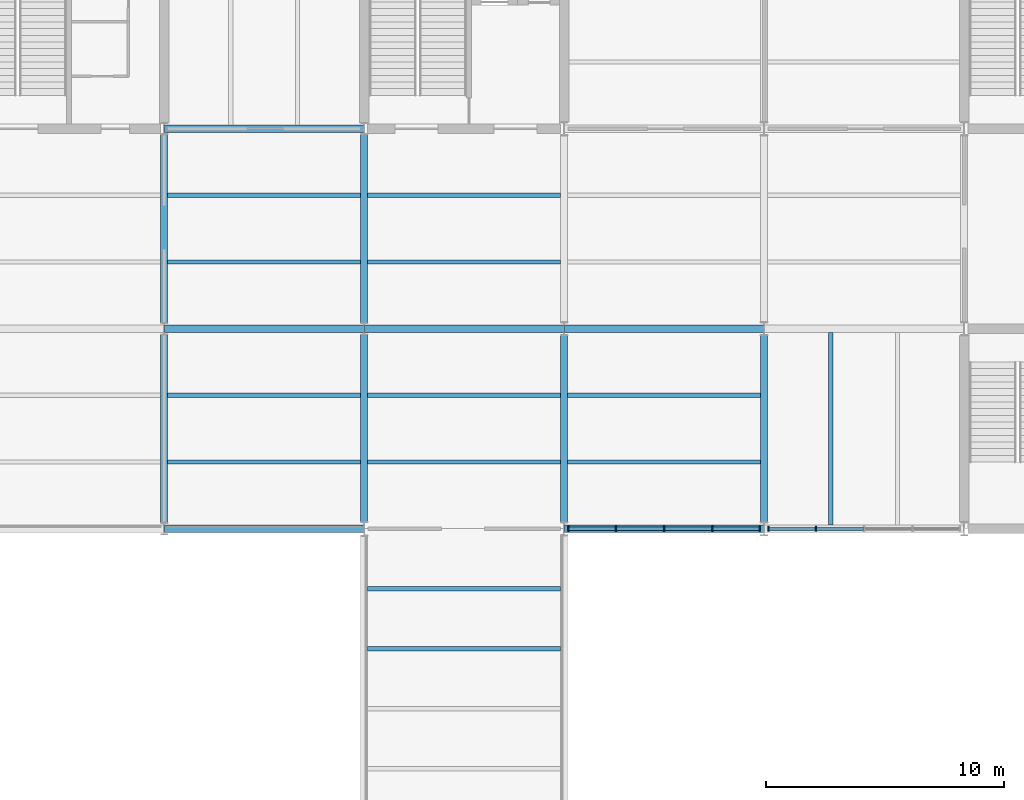
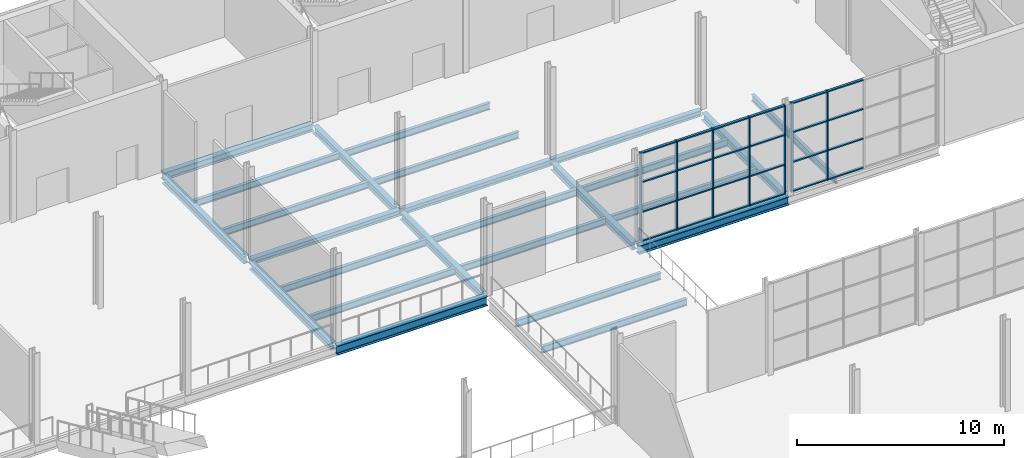
# One storey, part 26 of 64: 31 members, 25 beams, 2 elements without a shape of their own.
"""IFC4 building model written with IfcOpenShell, lengths in metres."""

import ifcopenshell
import ifcopenshell.guid

model = None  # the IFC model being written
_history = None  # IfcOwnerHistory: only IFC2X3 demands one
_inside = {}  # id of a spatial element -> (the spatial element, [elements in it])
_under = {}  # id of a project, library or spatial element -> (it, [spatial elements below it])
_declared = {}  # id of a project -> (the project, [libraries it declares])
_typed = {}  # id of a type object -> (the type object, [elements of that type])
_made_of = {}  # id of a material, layer set ... -> (it, [elements and type objects made of it])


def new_model(schema):
    """Start an empty IFC model of exactly this schema.

    Asked for "IFC4X3", IfcOpenShell would pick the latest addendum, in which some entities
    have other attributes; the version numbers below select the first issue.
    IFC2X3 requires an IfcOwnerHistory on every rooted entity: one is made here for all.
    """
    global model, _history
    if schema == "IFC4X3":
        model = ifcopenshell.file(schema_version=(4, 3, 0, 0))
    else:
        model = ifcopenshell.file(schema=schema)
    _inside.clear()
    _under.clear()
    _declared.clear()
    _typed.clear()
    _made_of.clear()
    _history = None
    if model.schema == "IFC2X3":
        org = make("IfcOrganization", Name="unknown")
        user = make(
            "IfcPersonAndOrganization",
            ThePerson=make("IfcPerson", FamilyName="unknown"),
            TheOrganization=org,
        )
        app = make(
            "IfcApplication",
            ApplicationDeveloper=org,
            Version="unknown",
            ApplicationFullName="unknown",
            ApplicationIdentifier="unknown",
        )
        _history = make(
            "IfcOwnerHistory",
            OwningUser=user,
            OwningApplication=app,
            ChangeAction="ADDED",
            CreationDate=0,
        )
    return model


def make(cls, **values):
    """One entity of the class cls with the attributes given. An attribute that is None is left unset."""
    return model.create_entity(
        cls, **{name: value for name, value in values.items() if value is not None}
    )


def rooted(cls, **values):
    """An entity with a GlobalId (a new one), such as an element, a storey or a relation."""
    return make(cls, GlobalId=ifcopenshell.guid.new(), OwnerHistory=_history, **values)


def si_unit(unit_type, name, prefix=None):
    """IfcSIUnit, for example si_unit("LENGTHUNIT", "METRE", prefix="MILLI")."""
    return make("IfcSIUnit", UnitType=unit_type, Prefix=prefix, Name=name)


def assignment(units):
    """IfcUnitAssignment: the units of a project."""
    return None if units is None else make("IfcUnitAssignment", Units=units)


def point(xyz):
    """IfcCartesianPoint."""
    return None if xyz is None else make("IfcCartesianPoint", Coordinates=xyz)


def direction(xyz):
    """IfcDirection."""
    return None if xyz is None else make("IfcDirection", DirectionRatios=xyz)


def frame(location, z_axis=None, x_axis=None):
    """IfcAxis2Placement3D, a coordinate frame: its origin and axes. An axis left out is left unset."""
    return make(
        "IfcAxis2Placement3D",
        Location=point(location),
        Axis=direction(z_axis),
        RefDirection=direction(x_axis),
    )


def frame_2d(location, x_axis=None):
    """IfcAxis2Placement2D, a coordinate frame in the plane: its origin and x axis."""
    return make(
        "IfcAxis2Placement2D", Location=point(location), RefDirection=direction(x_axis)
    )


def origin():
    """The frame at (0, 0, 0) with its axes left unset."""
    return frame((0.0, 0.0, 0.0))


def origin_2d():
    """The frame at (0, 0) in the plane with its x axis left unset."""
    return frame_2d((0.0, 0.0))


def place(relative_to, where):
    """IfcLocalPlacement: puts the frame where relative to a parent placement (None: the world)."""
    return make(
        "IfcLocalPlacement", PlacementRelTo=relative_to, RelativePlacement=where
    )


def context(
    kind, dimensions, precision=None, world=None, true_north=None, identifier=None
):
    """IfcGeometricRepresentationContext, for example the 3D "Model" context."""
    return make(
        "IfcGeometricRepresentationContext",
        ContextIdentifier=identifier,
        ContextType=kind,
        CoordinateSpaceDimension=dimensions,
        Precision=precision,
        WorldCoordinateSystem=world,
        TrueNorth=true_north,
    )


def subcontext(parent, identifier, kind, view, scale=None):
    """IfcGeometricRepresentationSubContext, for example "Body" below "Model"."""
    return make(
        "IfcGeometricRepresentationSubContext",
        ContextIdentifier=identifier,
        ContextType=kind,
        ParentContext=parent,
        TargetScale=scale,
        TargetView=view,
    )


def project(units=None, contexts=None):
    """IfcProject with its units and contexts."""
    return rooted(
        "IfcProject",
        Name="project",
        RepresentationContexts=contexts,
        UnitsInContext=assignment(units),
    )


def spatial(cls, under=None, at=None, **own):
    """A site, building, storey or space (cls), placed at a placement, below another one or the project."""
    s = rooted(cls, ObjectPlacement=at, **own)
    if under is not None:
        _under.setdefault(under.id(), (under, []))[1].append(s)
    return s


def profile(cls, at=None, kind="AREA", **sizes):
    """A parametric profile (cls). Its sizes go by their IFC names, for example OverallWidth=200.0."""
    return make(cls, ProfileType=kind, Position=at, **sizes)


def rectangle(**sizes):
    """IfcRectangleProfileDef."""
    return profile("IfcRectangleProfileDef", **sizes)


def i_section(**sizes):
    """IfcIShapeProfileDef."""
    return profile("IfcIShapeProfileDef", **sizes)


def extrude(swept, where, along, depth):
    """IfcExtrudedAreaSolid: the profile swept, set in the frame where, extruded along a direction by depth."""
    return make(
        "IfcExtrudedAreaSolid",
        SweptArea=swept,
        Position=where,
        ExtrudedDirection=direction(along),
        Depth=depth,
    )


def shape(context_of_items, identifier, shape_type, items):
    """IfcShapeRepresentation: the items that make up one representation, for example the "Body"."""
    return make(
        "IfcShapeRepresentation",
        ContextOfItems=context_of_items,
        RepresentationIdentifier=identifier,
        RepresentationType=shape_type,
        Items=items,
    )


def material(Name=None, Category=None):
    """IfcMaterial."""
    return make("IfcMaterial", Name=Name, Category=Category)


def layer(
    of_material, thickness, ventilated=None, Name=None, Category=None, Priority=None
):
    """IfcMaterialLayer: one layer of a wall or slab, of a material (None: an air gap)."""
    return make(
        "IfcMaterialLayer",
        Material=of_material,
        LayerThickness=thickness,
        IsVentilated=ventilated,
        Name=Name,
        Category=Category,
        Priority=Priority,
    )


def layer_set(layers, Name=None):
    """IfcMaterialLayerSet."""
    return make("IfcMaterialLayerSet", MaterialLayers=layers, LayerSetName=Name)


def material_profile(
    of_material, cross_section, Name=None, Category=None, Priority=None
):
    """IfcMaterialProfile: a cross section and its material."""
    return make(
        "IfcMaterialProfile",
        Name=Name,
        Material=of_material,
        Profile=cross_section,
        Priority=Priority,
        Category=Category,
    )


def profile_set(profiles, Name=None, composite=None):
    """IfcMaterialProfileSet."""
    return make(
        "IfcMaterialProfileSet",
        Name=Name,
        MaterialProfiles=profiles,
        CompositeProfile=composite,
    )


def made_of(thing, what):
    """Note that an element or type object is made of a material, layer set ...; save() writes the relation."""
    if what is not None:
        _made_of.setdefault(what.id(), (what, []))[1].append(thing)
    return thing


def type_object(cls, material=None, **own):
    """A type object (cls), such as IfcWallType, which elements share."""
    return made_of(rooted(cls, **own), material)


def element(
    cls,
    number,
    at=None,
    inside=None,
    cuts=None,
    type_object=None,
    material=None,
    context=None,
    identifier="Body",
    shape_type=None,
    held_by="IfcProductDefinitionShape",
    body=None,
    shapes=None,
    **own,
):
    """One element of the class cls, such as IfcWall. Its Tag is "e" and its number.

    at: its placement. inside: the storey or other place that contains it. cuts: it is an
    opening in that element (IfcRelVoidsElement). A single representation is given by context,
    identifier, shape_type and body (its items); several are given by shapes. held_by: the class
    of the entity that holds the representations. save() writes the other relations.
    """
    e = rooted(cls, Tag="e%d" % number, ObjectPlacement=at, **own)
    if body is not None:
        shapes = [shape(context, identifier, shape_type, body)]
    if shapes is not None:
        e.Representation = make(held_by, Representations=shapes)
    if inside is not None:
        _inside.setdefault(inside.id(), (inside, []))[1].append(e)
    if cuts is not None:
        rooted(
            "IfcRelVoidsElement", RelatingBuildingElement=cuts, RelatedOpeningElement=e
        )
    if type_object is not None:
        _typed.setdefault(type_object.id(), (type_object, []))[1].append(e)
    return made_of(e, material)


def aggregate(whole, parts):
    """IfcRelAggregates: a whole, such as a stair, and the parts it consists of."""
    return rooted("IfcRelAggregates", RelatingObject=whole, RelatedObjects=parts)


def save(model, path):
    """Write the relations noted so far, then the file.

    IfcRelAggregates (storeys below a building ...), IfcRelContainedInSpatialStructure (elements
    in a storey), IfcRelDefinesByType, IfcRelAssociatesMaterial and IfcRelDeclares: one each for
    every whole, place, type object, material and project.
    """
    for whole, parts in _under.values():
        aggregate(whole, parts)
    for where, things in _inside.values():
        rooted(
            "IfcRelContainedInSpatialStructure",
            RelatedElements=things,
            RelatingStructure=where,
        )
    for kind, things in _typed.values():
        rooted("IfcRelDefinesByType", RelatedObjects=things, RelatingType=kind)
    for what, things in _made_of.values():
        rooted("IfcRelAssociatesMaterial", RelatedObjects=things, RelatingMaterial=what)
    for by, libraries in _declared.values():
        rooted("IfcRelDeclares", RelatingContext=by, RelatedDefinitions=libraries)
    model.write(path)


model = new_model("IFC4")

# Units and contexts
model_context = context("Model", 3, precision=1e-05, world=origin(), true_north=direction((0.0, 1.0)))
body_context = subcontext(model_context, "Body", "Model", "MODEL_VIEW")
ifc_project = project(units=[si_unit("LENGTHUNIT", "METRE"), si_unit("AREAUNIT", "SQUARE_METRE"), si_unit("VOLUMEUNIT", "CUBIC_METRE"), si_unit("PLANEANGLEUNIT", "RADIAN"), si_unit("MASSUNIT", "GRAM", prefix="KILO")], contexts=[model_context])

# Site, building, storey
site_placement = place(None, origin())
site = spatial("IfcSite", under=ifc_project, at=site_placement, CompositionType="ELEMENT")
building_placement = place(site_placement, origin())
building = spatial("IfcBuilding", under=site, at=building_placement, Name="Galleria Vessillo Department Store", CompositionType="ELEMENT")
storey_placement = place(building_placement, frame((0.0, 0.0, 6.0)))
storey = spatial("IfcBuildingStorey", under=building, at=storey_placement, Name="L01", CompositionType="ELEMENT", Elevation=6.0)

# Curtain wall, members
ifc_material_1 = material(Name="Aluminium and glass curtain wall", Category="aluminium")
ifc_layer = layer(ifc_material_1, 0.199951171875)
ifc_layer_set = layer_set([ifc_layer], Name="Aluminium and glass curtain wall")
curtain_wall_type = type_object("IfcCurtainWallType", Name="Arcade curtain wall CW1 2100 module", PredefinedType="NOTDEFINED", material=ifc_layer_set)
curtain_wall_1_placement = place(storey_placement, origin())
curtain_wall_1 = element("IfcCurtainWall", 1, at=curtain_wall_1_placement, inside=storey, type_object=curtain_wall_type, Name="Arcade curtain wall CW1 2100 module AI-AE-N-L01-01", PredefinedType="NOTDEFINED")
ifc_material_2 = material(Name="Aluminium alloy 6063 T6", Category="aluminium")
ifc_material_profile_1 = material_profile(ifc_material_2, rectangle(XDim=0.199951171875, YDim=0.06005859375, at=origin_2d()), Name="AL 60x200")
ifc_profile_set_1 = profile_set([ifc_material_profile_1], Name="Aluminium alloy 6063 T6")
member_type_1 = type_object("IfcMemberType", Name="Aluminium mullion 60 x 200", PredefinedType="MULLION", material=ifc_profile_set_1)
member_1_placement = place(storey_placement, frame((84.18310546875, 37.800048828125, 0.0), z_axis=(0.0, 0.0, 1.0), x_axis=(0.0, 1.0, 0.0)))
member_1 = element("IfcMember", 2, at=member_1_placement, type_object=member_type_1, Name="CW1 mullion 1", PredefinedType="MULLION", context=body_context, shape_type="SweptSolid", body=[
    extrude(rectangle(XDim=0.199951171875, YDim=0.06005859375, at=origin_2d()), origin(), (0.0, 0.0, 1.0), 5.25),
])
member_2_placement = place(storey_placement, frame((86.176513671875, 37.800048828125, 0.0), z_axis=(0.0, 0.0, 1.0), x_axis=(0.0, 1.0, 0.0)))
member_2 = element("IfcMember", 3, at=member_2_placement, type_object=member_type_1, Name="CW1 mullion 2", PredefinedType="MULLION", context=body_context, shape_type="SweptSolid", body=[
    extrude(rectangle(XDim=0.199951171875, YDim=0.06005859375, at=origin_2d()), origin(), (0.0, 0.0, 1.0), 5.25),
])
member_3_placement = place(storey_placement, frame((88.199951171875, 37.800048828125, 0.0), z_axis=(0.0, 0.0, 1.0), x_axis=(0.0, 1.0, 0.0)))
member_3 = element("IfcMember", 4, at=member_3_placement, type_object=member_type_1, Name="CW1 mullion 3", PredefinedType="MULLION", context=body_context, shape_type="SweptSolid", body=[
    extrude(rectangle(XDim=0.199951171875, YDim=0.06005859375, at=origin_2d()), origin(), (0.0, 0.0, 1.0), 5.25),
])
member_4_placement = place(storey_placement, frame((90.223388671875, 37.800048828125, 0.0), z_axis=(0.0, 0.0, 1.0), x_axis=(0.0, 1.0, 0.0)))
member_4 = element("IfcMember", 5, at=member_4_placement, type_object=member_type_1, Name="CW1 mullion 4", PredefinedType="MULLION", context=body_context, shape_type="SweptSolid", body=[
    extrude(rectangle(XDim=0.199951171875, YDim=0.06005859375, at=origin_2d()), origin(), (0.0, 0.0, 1.0), 5.25),
])
member_5_placement = place(storey_placement, frame((92.216796875, 37.800048828125, 0.0), z_axis=(0.0, 0.0, 1.0), x_axis=(0.0, 1.0, 0.0)))
member_5 = element("IfcMember", 6, at=member_5_placement, type_object=member_type_1, Name="CW1 mullion 5", PredefinedType="MULLION", context=body_context, shape_type="SweptSolid", body=[
    extrude(rectangle(XDim=0.199951171875, YDim=0.06005859375, at=origin_2d()), origin(), (0.0, 0.0, 1.0), 5.25),
])

curtain_wall_2_placement = place(storey_placement, origin())
curtain_wall_2 = element("IfcCurtainWall", 7, at=curtain_wall_2_placement, inside=storey, type_object=curtain_wall_type, Name="Arcade curtain wall CW1 2100 module AI-AE-N-L01-02", PredefinedType="NOTDEFINED")
member_6_placement = place(storey_placement, frame((92.5830078125, 37.800048828125, 0.0), z_axis=(0.0, 0.0, 1.0), x_axis=(0.0, 1.0, 0.0)))
member_6 = element("IfcMember", 8, at=member_6_placement, type_object=member_type_1, Name="CW1 mullion 1", PredefinedType="MULLION", context=body_context, shape_type="SweptSolid", body=[
    extrude(rectangle(XDim=0.199951171875, YDim=0.06005859375, at=origin_2d()), origin(), (0.0, 0.0, 1.0), 5.25),
])
member_7_placement = place(storey_placement, frame((94.576416015625, 37.800048828125, 0.0), z_axis=(0.0, 0.0, 1.0), x_axis=(0.0, 1.0, 0.0)))
member_7 = element("IfcMember", 9, at=member_7_placement, type_object=member_type_1, Name="CW1 mullion 2", PredefinedType="MULLION", context=body_context, shape_type="SweptSolid", body=[
    extrude(rectangle(XDim=0.199951171875, YDim=0.06005859375, at=origin_2d()), origin(), (0.0, 0.0, 1.0), 5.25),
])

# Member
ifc_material_3 = material(Name="Aluminium alloy 6063 T6", Category="aluminium")
ifc_material_profile_2 = material_profile(ifc_material_3, rectangle(XDim=0.139892578125, YDim=0.070068359375, at=origin_2d()), Name="AL 70x140")
ifc_profile_set_2 = profile_set([ifc_material_profile_2], Name="Aluminium alloy 6063 T6")
member_type_2 = type_object("IfcMemberType", Name="Aluminium transom 70 x 140", PredefinedType="USERDEFINED", material=ifc_profile_set_2)
member_8_placement = place(storey_placement, frame((84.213134765625, 37.800048828125, 0.034912109375), z_axis=(1.0, 0.0, 0.0), x_axis=(0.0, 1.0, 0.0)))
member_8 = element("IfcMember", 10, at=member_8_placement, type_object=member_type_2, Name="CW1 transom 1.1", ObjectType="TRANSOM", PredefinedType="USERDEFINED", context=body_context, shape_type="SweptSolid", body=[
    extrude(rectangle(XDim=0.139892578125, YDim=0.070068359375, at=origin_2d()), origin(), (0.0, 0.0, 1.0), 1.933349609375),
])

member_9_placement = place(storey_placement, frame((84.213134765625, 37.800048828125, 1.75), z_axis=(1.0, 0.0, 0.0), x_axis=(0.0, 1.0, 0.0)))
member_9 = element("IfcMember", 11, at=member_9_placement, type_object=member_type_2, Name="CW1 transom 1.2", ObjectType="TRANSOM", PredefinedType="USERDEFINED", context=body_context, shape_type="SweptSolid", body=[
    extrude(rectangle(XDim=0.139892578125, YDim=0.070068359375, at=origin_2d()), origin(), (0.0, 0.0, 1.0), 1.933349609375),
])

member_10_placement = place(storey_placement, frame((84.213134765625, 37.800048828125, 3.5), z_axis=(1.0, 0.0, 0.0), x_axis=(0.0, 1.0, 0.0)))
member_10 = element("IfcMember", 12, at=member_10_placement, type_object=member_type_2, Name="CW1 transom 1.3", ObjectType="TRANSOM", PredefinedType="USERDEFINED", context=body_context, shape_type="SweptSolid", body=[
    extrude(rectangle(XDim=0.139892578125, YDim=0.070068359375, at=origin_2d()), origin(), (0.0, 0.0, 1.0), 1.933349609375),
])

member_11_placement = place(storey_placement, frame((84.213134765625, 37.800048828125, 5.215087890625), z_axis=(1.0, 0.0, 0.0), x_axis=(0.0, 1.0, 0.0)))
member_11 = element("IfcMember", 13, at=member_11_placement, type_object=member_type_2, Name="CW1 transom 1.4", ObjectType="TRANSOM", PredefinedType="USERDEFINED", context=body_context, shape_type="SweptSolid", body=[
    extrude(rectangle(XDim=0.139892578125, YDim=0.070068359375, at=origin_2d()), origin(), (0.0, 0.0, 1.0), 1.933349609375),
])

member_12_placement = place(storey_placement, frame((86.20654296875, 37.800048828125, 0.034912109375), z_axis=(1.0, 0.0, 0.0), x_axis=(0.0, 1.0, 0.0)))
member_12 = element("IfcMember", 14, at=member_12_placement, type_object=member_type_2, Name="CW1 transom 2.1", ObjectType="TRANSOM", PredefinedType="USERDEFINED", context=body_context, shape_type="SweptSolid", body=[
    extrude(rectangle(XDim=0.139892578125, YDim=0.070068359375, at=origin_2d()), origin(), (0.0, 0.0, 1.0), 1.96337890625),
])

member_13_placement = place(storey_placement, frame((86.20654296875, 37.800048828125, 1.75), z_axis=(1.0, 0.0, 0.0), x_axis=(0.0, 1.0, 0.0)))
member_13 = element("IfcMember", 15, at=member_13_placement, type_object=member_type_2, Name="CW1 transom 2.2", ObjectType="TRANSOM", PredefinedType="USERDEFINED", context=body_context, shape_type="SweptSolid", body=[
    extrude(rectangle(XDim=0.139892578125, YDim=0.070068359375, at=origin_2d()), origin(), (0.0, 0.0, 1.0), 1.96337890625),
])

member_14_placement = place(storey_placement, frame((86.20654296875, 37.800048828125, 3.5), z_axis=(1.0, 0.0, 0.0), x_axis=(0.0, 1.0, 0.0)))
member_14 = element("IfcMember", 16, at=member_14_placement, type_object=member_type_2, Name="CW1 transom 2.3", ObjectType="TRANSOM", PredefinedType="USERDEFINED", context=body_context, shape_type="SweptSolid", body=[
    extrude(rectangle(XDim=0.139892578125, YDim=0.070068359375, at=origin_2d()), origin(), (0.0, 0.0, 1.0), 1.96337890625),
])

member_15_placement = place(storey_placement, frame((86.20654296875, 37.800048828125, 5.215087890625), z_axis=(1.0, 0.0, 0.0), x_axis=(0.0, 1.0, 0.0)))
member_15 = element("IfcMember", 17, at=member_15_placement, type_object=member_type_2, Name="CW1 transom 2.4", ObjectType="TRANSOM", PredefinedType="USERDEFINED", context=body_context, shape_type="SweptSolid", body=[
    extrude(rectangle(XDim=0.139892578125, YDim=0.070068359375, at=origin_2d()), origin(), (0.0, 0.0, 1.0), 1.96337890625),
])

member_16_placement = place(storey_placement, frame((88.22998046875, 37.800048828125, 0.034912109375), z_axis=(1.0, 0.0, 0.0), x_axis=(0.0, 1.0, 0.0)))
member_16 = element("IfcMember", 18, at=member_16_placement, type_object=member_type_2, Name="CW1 transom 3.1", ObjectType="TRANSOM", PredefinedType="USERDEFINED", context=body_context, shape_type="SweptSolid", body=[
    extrude(rectangle(XDim=0.139892578125, YDim=0.070068359375, at=origin_2d()), origin(), (0.0, 0.0, 1.0), 1.96337890625),
])

member_17_placement = place(storey_placement, frame((88.22998046875, 37.800048828125, 1.75), z_axis=(1.0, 0.0, 0.0), x_axis=(0.0, 1.0, 0.0)))
member_17 = element("IfcMember", 19, at=member_17_placement, type_object=member_type_2, Name="CW1 transom 3.2", ObjectType="TRANSOM", PredefinedType="USERDEFINED", context=body_context, shape_type="SweptSolid", body=[
    extrude(rectangle(XDim=0.139892578125, YDim=0.070068359375, at=origin_2d()), origin(), (0.0, 0.0, 1.0), 1.96337890625),
])

member_18_placement = place(storey_placement, frame((88.22998046875, 37.800048828125, 3.5), z_axis=(1.0, 0.0, 0.0), x_axis=(0.0, 1.0, 0.0)))
member_18 = element("IfcMember", 20, at=member_18_placement, type_object=member_type_2, Name="CW1 transom 3.3", ObjectType="TRANSOM", PredefinedType="USERDEFINED", context=body_context, shape_type="SweptSolid", body=[
    extrude(rectangle(XDim=0.139892578125, YDim=0.070068359375, at=origin_2d()), origin(), (0.0, 0.0, 1.0), 1.96337890625),
])

member_19_placement = place(storey_placement, frame((88.22998046875, 37.800048828125, 5.215087890625), z_axis=(1.0, 0.0, 0.0), x_axis=(0.0, 1.0, 0.0)))
member_19 = element("IfcMember", 21, at=member_19_placement, type_object=member_type_2, Name="CW1 transom 3.4", ObjectType="TRANSOM", PredefinedType="USERDEFINED", context=body_context, shape_type="SweptSolid", body=[
    extrude(rectangle(XDim=0.139892578125, YDim=0.070068359375, at=origin_2d()), origin(), (0.0, 0.0, 1.0), 1.96337890625),
])

member_20_placement = place(storey_placement, frame((90.25341796875, 37.800048828125, 0.034912109375), z_axis=(1.0, 0.0, 0.0), x_axis=(0.0, 1.0, 0.0)))
member_20 = element("IfcMember", 22, at=member_20_placement, type_object=member_type_2, Name="CW1 transom 4.1", ObjectType="TRANSOM", PredefinedType="USERDEFINED", context=body_context, shape_type="SweptSolid", body=[
    extrude(rectangle(XDim=0.139892578125, YDim=0.070068359375, at=origin_2d()), origin(), (0.0, 0.0, 1.0), 1.933349609375),
])

member_21_placement = place(storey_placement, frame((90.25341796875, 37.800048828125, 1.75), z_axis=(1.0, 0.0, 0.0), x_axis=(0.0, 1.0, 0.0)))
member_21 = element("IfcMember", 23, at=member_21_placement, type_object=member_type_2, Name="CW1 transom 4.2", ObjectType="TRANSOM", PredefinedType="USERDEFINED", context=body_context, shape_type="SweptSolid", body=[
    extrude(rectangle(XDim=0.139892578125, YDim=0.070068359375, at=origin_2d()), origin(), (0.0, 0.0, 1.0), 1.933349609375),
])

member_22_placement = place(storey_placement, frame((90.25341796875, 37.800048828125, 3.5), z_axis=(1.0, 0.0, 0.0), x_axis=(0.0, 1.0, 0.0)))
member_22 = element("IfcMember", 24, at=member_22_placement, type_object=member_type_2, Name="CW1 transom 4.3", ObjectType="TRANSOM", PredefinedType="USERDEFINED", context=body_context, shape_type="SweptSolid", body=[
    extrude(rectangle(XDim=0.139892578125, YDim=0.070068359375, at=origin_2d()), origin(), (0.0, 0.0, 1.0), 1.933349609375),
])

member_23_placement = place(storey_placement, frame((90.25341796875, 37.800048828125, 5.215087890625), z_axis=(1.0, 0.0, 0.0), x_axis=(0.0, 1.0, 0.0)))
member_23 = element("IfcMember", 25, at=member_23_placement, type_object=member_type_2, Name="CW1 transom 4.4", ObjectType="TRANSOM", PredefinedType="USERDEFINED", context=body_context, shape_type="SweptSolid", body=[
    extrude(rectangle(XDim=0.139892578125, YDim=0.070068359375, at=origin_2d()), origin(), (0.0, 0.0, 1.0), 1.933349609375),
])

aggregate(curtain_wall_1, [member_1, member_2, member_3, member_4, member_5, member_8, member_9, member_10, member_11, member_12, member_13, member_14, member_15, member_16, member_17, member_18, member_19, member_20, member_21, member_22, member_23])

member_24_placement = place(storey_placement, frame((92.613037109375, 37.800048828125, 0.034912109375), z_axis=(1.0, 0.0, 0.0), x_axis=(0.0, 1.0, 0.0)))
member_24 = element("IfcMember", 26, at=member_24_placement, type_object=member_type_2, Name="CW1 transom 1.1", ObjectType="TRANSOM", PredefinedType="USERDEFINED", context=body_context, shape_type="SweptSolid", body=[
    extrude(rectangle(XDim=0.139892578125, YDim=0.070068359375, at=origin_2d()), origin(), (0.0, 0.0, 1.0), 1.933349609375),
])

member_25_placement = place(storey_placement, frame((92.613037109375, 37.800048828125, 1.75), z_axis=(1.0, 0.0, 0.0), x_axis=(0.0, 1.0, 0.0)))
member_25 = element("IfcMember", 27, at=member_25_placement, type_object=member_type_2, Name="CW1 transom 1.2", ObjectType="TRANSOM", PredefinedType="USERDEFINED", context=body_context, shape_type="SweptSolid", body=[
    extrude(rectangle(XDim=0.139892578125, YDim=0.070068359375, at=origin_2d()), origin(), (0.0, 0.0, 1.0), 1.933349609375),
])

member_26_placement = place(storey_placement, frame((92.613037109375, 37.800048828125, 3.5), z_axis=(1.0, 0.0, 0.0), x_axis=(0.0, 1.0, 0.0)))
member_26 = element("IfcMember", 28, at=member_26_placement, type_object=member_type_2, Name="CW1 transom 1.3", ObjectType="TRANSOM", PredefinedType="USERDEFINED", context=body_context, shape_type="SweptSolid", body=[
    extrude(rectangle(XDim=0.139892578125, YDim=0.070068359375, at=origin_2d()), origin(), (0.0, 0.0, 1.0), 1.933349609375),
])

member_27_placement = place(storey_placement, frame((92.613037109375, 37.800048828125, 5.215087890625), z_axis=(1.0, 0.0, 0.0), x_axis=(0.0, 1.0, 0.0)))
member_27 = element("IfcMember", 29, at=member_27_placement, type_object=member_type_2, Name="CW1 transom 1.4", ObjectType="TRANSOM", PredefinedType="USERDEFINED", context=body_context, shape_type="SweptSolid", body=[
    extrude(rectangle(XDim=0.139892578125, YDim=0.070068359375, at=origin_2d()), origin(), (0.0, 0.0, 1.0), 1.933349609375),
])

member_28_placement = place(storey_placement, frame((94.6064453125, 37.800048828125, 0.034912109375), z_axis=(1.0, 0.0, 0.0), x_axis=(0.0, 1.0, 0.0)))
member_28 = element("IfcMember", 30, at=member_28_placement, type_object=member_type_2, Name="CW1 transom 2.1", ObjectType="TRANSOM", PredefinedType="USERDEFINED", context=body_context, shape_type="SweptSolid", body=[
    extrude(rectangle(XDim=0.139892578125, YDim=0.070068359375, at=origin_2d()), origin(), (0.0, 0.0, 1.0), 1.963623046875),
])

member_29_placement = place(storey_placement, frame((94.6064453125, 37.800048828125, 1.75), z_axis=(1.0, 0.0, 0.0), x_axis=(0.0, 1.0, 0.0)))
member_29 = element("IfcMember", 31, at=member_29_placement, type_object=member_type_2, Name="CW1 transom 2.2", ObjectType="TRANSOM", PredefinedType="USERDEFINED", context=body_context, shape_type="SweptSolid", body=[
    extrude(rectangle(XDim=0.139892578125, YDim=0.070068359375, at=origin_2d()), origin(), (0.0, 0.0, 1.0), 1.963623046875),
])

member_30_placement = place(storey_placement, frame((94.6064453125, 37.800048828125, 3.5), z_axis=(1.0, 0.0, 0.0), x_axis=(0.0, 1.0, 0.0)))
member_30 = element("IfcMember", 32, at=member_30_placement, type_object=member_type_2, Name="CW1 transom 2.3", ObjectType="TRANSOM", PredefinedType="USERDEFINED", context=body_context, shape_type="SweptSolid", body=[
    extrude(rectangle(XDim=0.139892578125, YDim=0.070068359375, at=origin_2d()), origin(), (0.0, 0.0, 1.0), 1.963623046875),
])

member_31_placement = place(storey_placement, frame((94.6064453125, 37.800048828125, 5.215087890625), z_axis=(1.0, 0.0, 0.0), x_axis=(0.0, 1.0, 0.0)))
member_31 = element("IfcMember", 33, at=member_31_placement, type_object=member_type_2, Name="CW1 transom 2.4", ObjectType="TRANSOM", PredefinedType="USERDEFINED", context=body_context, shape_type="SweptSolid", body=[
    extrude(rectangle(XDim=0.139892578125, YDim=0.070068359375, at=origin_2d()), origin(), (0.0, 0.0, 1.0), 1.963623046875),
])

aggregate(curtain_wall_2, [member_6, member_7, member_24, member_25, member_26, member_27, member_28, member_29, member_30, member_31])

# Beams
ifc_material_4 = material(Name="Steel S355 J2", Category="steel")
ifc_material_profile_3 = material_profile(ifc_material_4, i_section(OverallWidth=0.300048828125, OverallDepth=0.43994140625, WebThickness=0.011474609375, FlangeThickness=0.02099609375, FilletRadius=0.027099609375, at=origin_2d()), Name="HEA 450")
ifc_profile_set_3 = profile_set([ifc_material_profile_3], Name="Steel S355 J2")
beam_type_1 = type_object("IfcBeamType", Name="Floor girder HEA 450", PredefinedType="BEAM", material=ifc_profile_set_3)
beam_1_placement = place(storey_placement, frame((67.207275390625, 54.60009765625, -0.369873046875), z_axis=(1.0, 0.0, 0.0), x_axis=(0.0, 1.0, 0.0)))
element("IfcBeam", 34, at=beam_1_placement, inside=storey, type_object=beam_type_1, Name="S-BM-L01-GI-x54600-67207", PredefinedType="BEAM", context=body_context, shape_type="SweptSolid", body=[
    extrude(i_section(OverallWidth=0.300048828125, OverallDepth=0.43994140625, WebThickness=0.011474609375, FlangeThickness=0.02099609375, FilletRadius=0.027099609375, at=origin_2d()), origin(), (0.0, 0.0, 1.0), 8.38525390625),
])
beam_2_placement = place(storey_placement, frame((67.199951171875, 38.06201171875, -0.369873046875), z_axis=(0.0, 1.0, 0.0), x_axis=(-1.0, 0.0, 0.0)))
element("IfcBeam", 35, at=beam_2_placement, inside=storey, type_object=beam_type_1, Name="S-BM-L01-GI-y67200-38062", PredefinedType="BEAM", context=body_context, shape_type="SweptSolid", body=[
    extrude(i_section(OverallWidth=0.300048828125, OverallDepth=0.43994140625, WebThickness=0.011474609375, FlangeThickness=0.02099609375, FilletRadius=0.027099609375, at=origin_2d()), origin(), (0.0, 0.0, 1.0), 7.887939453125),
])
beam_3_placement = place(storey_placement, frame((67.199951171875, 46.4501953125, -0.369873046875), z_axis=(0.0, 1.0, 0.0), x_axis=(-1.0, 0.0, 0.0)))
element("IfcBeam", 36, at=beam_3_placement, inside=storey, type_object=beam_type_1, Name="S-BM-L01-GI-y67200-46450", PredefinedType="BEAM", context=body_context, shape_type="SweptSolid", body=[
    extrude(i_section(OverallWidth=0.300048828125, OverallDepth=0.43994140625, WebThickness=0.011474609375, FlangeThickness=0.02099609375, FilletRadius=0.027099609375, at=origin_2d()), origin(), (0.0, 0.0, 1.0), 7.899658203125),
])
beam_4_placement = place(storey_placement, frame((75.60009765625, 38.110107421875, -0.369873046875), z_axis=(0.0, 1.0, 0.0), x_axis=(-1.0, 0.0, 0.0)))
element("IfcBeam", 37, at=beam_4_placement, inside=storey, type_object=beam_type_1, Name="S-BM-L01-GI-y75600-38110", PredefinedType="BEAM", context=body_context, shape_type="SweptSolid", body=[
    extrude(i_section(OverallWidth=0.300048828125, OverallDepth=0.43994140625, WebThickness=0.011474609375, FlangeThickness=0.02099609375, FilletRadius=0.027099609375, at=origin_2d()), origin(), (0.0, 0.0, 1.0), 7.83984375),
])
beam_5_placement = place(storey_placement, frame((75.60009765625, 46.4501953125, -0.369873046875), z_axis=(0.0, 1.0, 0.0), x_axis=(-1.0, 0.0, 0.0)))
element("IfcBeam", 38, at=beam_5_placement, inside=storey, type_object=beam_type_1, Name="S-BM-L01-GI-y75600-46450", PredefinedType="BEAM", context=body_context, shape_type="SweptSolid", body=[
    extrude(i_section(OverallWidth=0.300048828125, OverallDepth=0.43994140625, WebThickness=0.011474609375, FlangeThickness=0.02099609375, FilletRadius=0.027099609375, at=origin_2d()), origin(), (0.0, 0.0, 1.0), 7.899658203125),
])
for number, where, z_axis, x_axis, name in (
    (39, (84.0, 38.086181640625, -0.369873046875), (0.0, 1.0, 0.0), (-1.0, 0.0, 0.0), "S-BM-L01-GI-y84000-38086"),
    (40, (92.39990234375, 38.086181640625, -0.369873046875), (0.0, 1.0, 0.0), (-1.0, 0.0, 0.0), "S-BM-L01-GI-y92400-38086"),
):
    element("IfcBeam", number, at=place(storey_placement, frame(where, z_axis=z_axis, x_axis=x_axis)), inside=storey, type_object=beam_type_1, Name=name, PredefinedType="BEAM", context=body_context, shape_type="SweptSolid", body=[
        extrude(i_section(OverallWidth=0.300048828125, OverallDepth=0.43994140625, WebThickness=0.011474609375, FlangeThickness=0.02099609375, FilletRadius=0.027099609375, at=origin_2d()), origin(), (0.0, 0.0, 1.0), 7.82763671875),
    ])
ifc_material_5 = material(Name="Steel S355 J2", Category="steel")
ifc_material_profile_4 = material_profile(ifc_material_5, i_section(OverallWidth=0.179931640625, OverallDepth=0.39990234375, WebThickness=0.008544921875, FlangeThickness=0.013427734375, FilletRadius=0.02099609375, at=origin_2d()), Name="IPE 400")
ifc_profile_set_4 = profile_set([ifc_material_profile_4], Name="Steel S355 J2")
beam_type_2 = type_object("IfcBeamType", Name="Floor joist IPE 400", PredefinedType="JOIST", material=ifc_profile_set_4)
for number, where, z_axis, x_axis, name in (
    (41, (67.35009765625, 40.60009765625, -0.349853515625), (1.0, 0.0, 0.0), (0.0, 1.0, 0.0), "S-BM-L01-JO-x40600-67350"),
    (42, (67.35009765625, 43.39990234375, -0.349853515625), (1.0, 0.0, 0.0), (0.0, 1.0, 0.0), "S-BM-L01-JO-x43400-67350"),
    (43, (67.35009765625, 49.0, -0.349853515625), (1.0, 0.0, 0.0), (0.0, 1.0, 0.0), "S-BM-L01-JO-x49000-67350"),
    (44, (67.35009765625, 51.800048828125, -0.349853515625), (1.0, 0.0, 0.0), (0.0, 1.0, 0.0), "S-BM-L01-JO-x51800-67350"),
):
    element("IfcBeam", number, at=place(storey_placement, frame(where, z_axis=z_axis, x_axis=x_axis)), inside=storey, type_object=beam_type_2, Name=name, PredefinedType="JOIST", context=body_context, shape_type="SweptSolid", body=[
        extrude(i_section(OverallWidth=0.179931640625, OverallDepth=0.39990234375, WebThickness=0.008544921875, FlangeThickness=0.013427734375, FilletRadius=0.02099609375, at=origin_2d()), origin(), (0.0, 0.0, 1.0), 8.099853515625),
    ])
for number, where, z_axis, x_axis, name in (
    (45, (75.750244140625, 32.760009765625, -0.349853515625), (1.0, 0.0, 0.0), (0.0, 1.0, 0.0), "S-BM-L01-JO-x32760-75750"),
    (46, (75.750244140625, 35.280029296875, -0.349853515625), (1.0, 0.0, 0.0), (0.0, 1.0, 0.0), "S-BM-L01-JO-x35280-75750"),
    (47, (75.750244140625, 40.60009765625, -0.349853515625), (1.0, 0.0, 0.0), (0.0, 1.0, 0.0), "S-BM-L01-JO-x40600-75750"),
    (48, (75.750244140625, 43.39990234375, -0.349853515625), (1.0, 0.0, 0.0), (0.0, 1.0, 0.0), "S-BM-L01-JO-x43400-75750"),
    (49, (75.750244140625, 49.0, -0.349853515625), (1.0, 0.0, 0.0), (0.0, 1.0, 0.0), "S-BM-L01-JO-x49000-75750"),
    (50, (75.750244140625, 51.800048828125, -0.349853515625), (1.0, 0.0, 0.0), (0.0, 1.0, 0.0), "S-BM-L01-JO-x51800-75750"),
    (51, (84.150146484375, 40.60009765625, -0.349853515625), (1.0, 0.0, 0.0), (0.0, 1.0, 0.0), "S-BM-L01-JO-x40600-84150"),
    (52, (84.150146484375, 43.39990234375, -0.349853515625), (1.0, 0.0, 0.0), (0.0, 1.0, 0.0), "S-BM-L01-JO-x43400-84150"),
    (53, (95.199951171875, 37.9501953125, -0.349853515625), (0.0, 1.0, 0.0), (-1.0, 0.0, 0.0), "S-BM-L01-JO-y95200-37950"),
):
    element("IfcBeam", number, at=place(storey_placement, frame(where, z_axis=z_axis, x_axis=x_axis)), inside=storey, type_object=beam_type_2, Name=name, PredefinedType="JOIST", context=body_context, shape_type="SweptSolid", body=[
        extrude(i_section(OverallWidth=0.179931640625, OverallDepth=0.39990234375, WebThickness=0.008544921875, FlangeThickness=0.013427734375, FilletRadius=0.02099609375, at=origin_2d()), origin(), (0.0, 0.0, 1.0), 8.099609375),
    ])
ifc_material_6 = material(Name="Steel S355 J2", Category="steel")
ifc_material_profile_5 = material_profile(ifc_material_6, i_section(OverallWidth=0.300048828125, OverallDepth=0.330078125, WebThickness=0.009521484375, FlangeThickness=0.0166015625, FilletRadius=0.027099609375, at=origin_2d()), Name="HEA 340")
ifc_profile_set_5 = profile_set([ifc_material_profile_5], Name="Steel S355 J2")
beam_type_3 = type_object("IfcBeamType", Name="Floor tie girder HEA 340", PredefinedType="BEAM", material=ifc_profile_set_5)
beam_6_placement = place(storey_placement, frame((67.207275390625, 46.199951171875, -0.31494140625), z_axis=(1.0, 0.0, 0.0), x_axis=(0.0, 1.0, 0.0)))
element("IfcBeam", 54, at=beam_6_placement, inside=storey, type_object=beam_type_3, Name="S-BM-L01-TI-x46200-67207", PredefinedType="BEAM", context=body_context, shape_type="SweptSolid", body=[
    extrude(i_section(OverallWidth=0.300048828125, OverallDepth=0.330078125, WebThickness=0.009521484375, FlangeThickness=0.0166015625, FilletRadius=0.027099609375, at=origin_2d()), origin(), (0.0, 0.0, 1.0), 8.38525390625),
])
beam_7_placement = place(storey_placement, frame((75.607421875, 46.199951171875, -0.31494140625), z_axis=(1.0, 0.0, 0.0), x_axis=(0.0, 1.0, 0.0)))
element("IfcBeam", 55, at=beam_7_placement, inside=storey, type_object=beam_type_3, Name="S-BM-L01-TI-x46200-75607", PredefinedType="BEAM", context=body_context, shape_type="SweptSolid", body=[
    extrude(i_section(OverallWidth=0.300048828125, OverallDepth=0.330078125, WebThickness=0.009521484375, FlangeThickness=0.0166015625, FilletRadius=0.027099609375, at=origin_2d()), origin(), (0.0, 0.0, 1.0), 8.3818359375),
])
beam_8_placement = place(storey_placement, frame((84.0107421875, 46.199951171875, -0.31494140625), z_axis=(1.0, 0.0, 0.0), x_axis=(0.0, 1.0, 0.0)))
element("IfcBeam", 56, at=beam_8_placement, inside=storey, type_object=beam_type_3, Name="S-BM-L01-TI-x46200-84011", PredefinedType="BEAM", context=body_context, shape_type="SweptSolid", body=[
    extrude(i_section(OverallWidth=0.300048828125, OverallDepth=0.330078125, WebThickness=0.009521484375, FlangeThickness=0.0166015625, FilletRadius=0.027099609375, at=origin_2d()), origin(), (0.0, 0.0, 1.0), 8.378662109375),
])
ifc_material_7 = material(Name="Steel S355 J2", Category="steel")
ifc_material_profile_6 = material_profile(ifc_material_7, i_section(OverallWidth=0.300048828125, OverallDepth=0.489990234375, WebThickness=0.011962890625, FlangeThickness=0.02294921875, FilletRadius=0.027099609375, at=origin_2d()), Name="HEA 500")
ifc_profile_set_6 = profile_set([ifc_material_profile_6], Name="Steel S355 J2")
beam_type_4 = type_object("IfcBeamType", Name="Trimmer beam HEA 500", PredefinedType="BEAM", material=ifc_profile_set_6)
beam_9_placement = place(storey_placement, frame((84.0107421875, 37.800048828125, -0.39501953125), z_axis=(1.0, 0.0, 0.0), x_axis=(0.0, 1.0, 0.0)))
element("IfcBeam", 57, at=beam_9_placement, inside=storey, type_object=beam_type_4, Name="S-BM-L01-TR-x37800-84011", PredefinedType="BEAM", context=body_context, shape_type="SweptSolid", body=[
    extrude(i_section(OverallWidth=0.300048828125, OverallDepth=0.489990234375, WebThickness=0.011962890625, FlangeThickness=0.02294921875, FilletRadius=0.027099609375, at=origin_2d()), origin(), (0.0, 0.0, 1.0), 8.378662109375),
])
ifc_material_8 = material(Name="Steel S355 J2", Category="steel")
ifc_material_profile_7 = material_profile(ifc_material_8, i_section(OverallWidth=0.300048828125, OverallDepth=0.5400390625, WebThickness=0.012451171875, FlangeThickness=0.02392578125, FilletRadius=0.027099609375, at=origin_2d()), Name="HEA 550")
ifc_profile_set_7 = profile_set([ifc_material_profile_7], Name="Steel S355 J2")
beam_type_5 = type_object("IfcBeamType", Name="Trimmer beam HEA 550", PredefinedType="BEAM", material=ifc_profile_set_7)
beam_10_placement = place(storey_placement, frame((67.210693359375, 37.800048828125, -0.419921875), z_axis=(1.0, 0.0, 0.0), x_axis=(0.0, 1.0, 0.0)))
element("IfcBeam", 58, at=beam_10_placement, inside=storey, type_object=beam_type_5, Name="S-BM-L01-TR-x37800-67211", PredefinedType="BEAM", context=body_context, shape_type="SweptSolid", body=[
    extrude(i_section(OverallWidth=0.300048828125, OverallDepth=0.5400390625, WebThickness=0.012451171875, FlangeThickness=0.02392578125, FilletRadius=0.027099609375, at=origin_2d()), origin(), (0.0, 0.0, 1.0), 8.378662109375),
])

save(model, "model.ifc")
